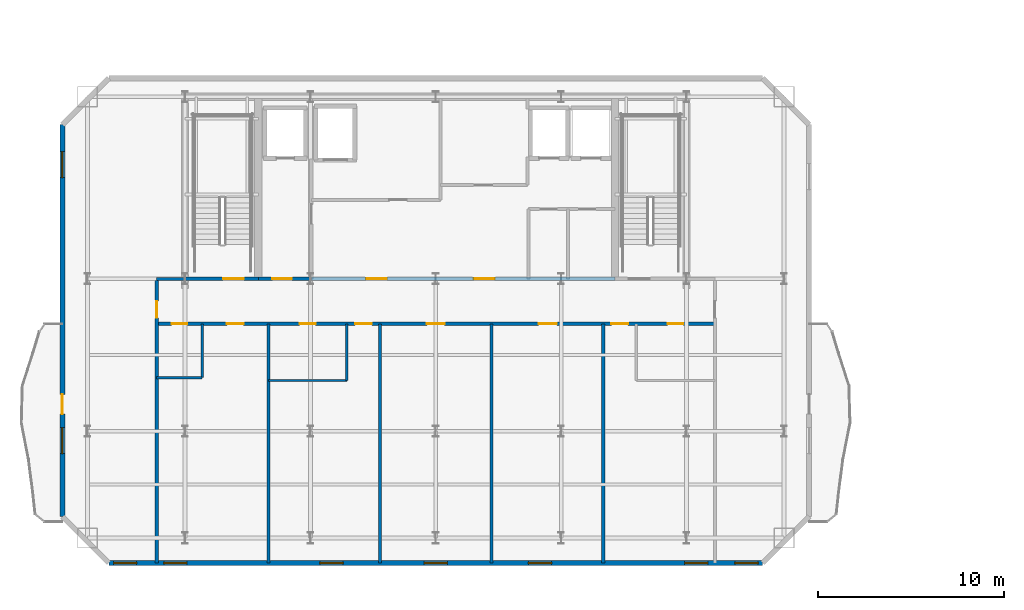
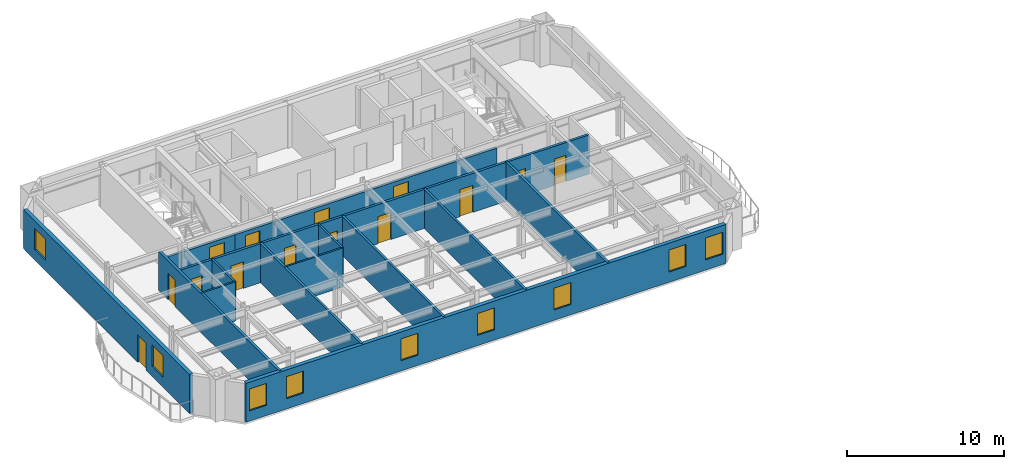
# One storey, part 5 of 13: 16 walls, 14 doors, 9 windows, 23 openings.
"""IFC4 building model written with IfcOpenShell, lengths in metres."""

from ifc_helpers import new_model, si_unit, direction, frame, frame_2d, origin, place, context, subcontext, project, spatial, rectangle, extrude, material, layer, layer_set, type_object, element, fill, save


model = new_model("IFC4")

# Units and contexts
model_context = context("Model", 3, precision=1e-05, world=origin(), true_north=direction((0.0, 1.0)))
body_context = subcontext(model_context, "Body", "Model", "MODEL_VIEW")
ifc_project = project(units=[si_unit("LENGTHUNIT", "METRE"), si_unit("AREAUNIT", "SQUARE_METRE"), si_unit("VOLUMEUNIT", "CUBIC_METRE"), si_unit("PLANEANGLEUNIT", "RADIAN"), si_unit("MASSUNIT", "GRAM", prefix="KILO")], contexts=[model_context])

# Site, building, storey
site_placement = place(None, origin())
site = spatial("IfcSite", under=ifc_project, at=site_placement, CompositionType="ELEMENT")
building_placement = place(site_placement, origin())
building = spatial("IfcBuilding", under=site, at=building_placement, Name="Haevon Station Towers", CompositionType="ELEMENT")
storey_placement = place(building_placement, frame((0.0, 0.0, 222.0)))
storey = spatial("IfcBuildingStorey", under=building, at=storey_placement, Name="L61", CompositionType="ELEMENT", Elevation=222.0)

# Wall, opening, door
ifc_material_1 = material(Name="Gypsum board on steel stud", Category="steel")
ifc_layer_1 = layer(ifc_material_1, 0.179931640625)
ifc_layer_set_1 = layer_set([ifc_layer_1], Name="Gypsum board on steel stud")
wall_type_1 = type_object("IfcWallType", Name="WL-ACU180", PredefinedType="PARTITIONING", material=ifc_layer_set_1)
wall_1_placement = place(storey_placement, frame((22.47509765625, 22.89990234375, 0.0), z_axis=(0.0, 0.0, 1.0), x_axis=(0.0, 1.0, 0.0)))
wall_1 = element("IfcWall", 1, at=wall_1_placement, inside=storey, type_object=wall_type_1, Name="WL-T1PT-L61-03", PredefinedType="PARTITIONING", context=body_context, shape_type="SweptSolid", body=[
    extrude(rectangle(XDim=15.300048828125, YDim=0.179931640625, at=frame_2d((7.64990234375, 0.0))), origin(), (0.0, 0.0, 1.0), 3.030029296875),
])
opening_1_placement = place(wall_1_placement, frame((13.199951171875, 0.0, 0.0)))
opening_1 = element("IfcOpeningElement", 2, at=opening_1_placement, cuts=wall_1, Name="Opening DR-WL-T1PT-L61-03-01", PredefinedType="OPENING", context=body_context, shape_type="SweptSolid", body=[
    extrude(rectangle(XDim=0.89990234375, YDim=2.050048828125, at=frame_2d((0.449951171875, 1.02490234375))), frame((0.0, 0.099853515625, 0.0), z_axis=(0.0, -1.0, 0.0), x_axis=(1.0, 0.0, 0.0)), (0.0, 0.0, 1.0), 0.199951171875),
])
ifc_material_2 = material(Name="Engineered oak timber", Category="wood")
door_type_1 = type_object("IfcDoorType", Name="DR-INT-900", OperationType="NOTDEFINED", PredefinedType="DOOR", material=ifc_material_2)
door_1_placement = place(opening_1_placement, origin())
door_1 = element("IfcDoor", 3, at=door_1_placement, inside=storey, type_object=door_type_1, Name="L61 Tower 1 Room Door 3-1", OperationType="SINGLE_SWING_LEFT", OverallHeight=2.050048828125, OverallWidth=0.89990234375, PredefinedType="DOOR", context=body_context, shape_type="SweptSolid", body=[
    extrude(rectangle(XDim=0.89990234375, YDim=2.050048828125, at=frame_2d((0.449951171875, 1.02490234375))), frame((0.0, 0.02490234375, 0.0), z_axis=(0.0, -1.0, 0.0), x_axis=(1.0, 0.0, 0.0)), (0.0, 0.0, 1.0), 0.050048828125),
])
fill(opening_1, door_1)

# Wall
wall_2_placement = place(storey_placement, frame((46.514892578125, 22.89990234375, 0.0), z_axis=(0.0, 0.0, 1.0), x_axis=(0.0, 1.0, 0.0)))
element("IfcWall", 4, at=wall_2_placement, inside=storey, type_object=wall_type_1, Name="WL-T1PT-L61-12", PredefinedType="PARTITIONING", context=body_context, shape_type="SweptSolid", body=[
    extrude(rectangle(XDim=12.880126953125, YDim=0.179931640625, at=frame_2d((6.43994140625, 0.0))), origin(), (0.0, 0.0, 1.0), 3.030029296875),
])

# Wall, openings, doors
wall_3_placement = place(storey_placement, frame((22.47509765625, 35.780029296875, 0.0), z_axis=(0.0, 0.0, 1.0), x_axis=(1.0, 0.0, 0.0)))
wall_3 = element("IfcWall", 5, at=wall_3_placement, inside=storey, type_object=wall_type_1, Name="WL-T1PT-L61-15", PredefinedType="PARTITIONING", context=body_context, shape_type="SweptSolid", body=[
    extrude(rectangle(XDim=30.0498046875, YDim=0.179931640625, at=frame_2d((15.02490234375, 0.0))), origin(), (0.0, 0.0, 1.0), 3.030029296875),
])
opening_2_placement = place(wall_3_placement, frame((0.800048828125, 0.0, 0.0)))
opening_2 = element("IfcOpeningElement", 6, at=opening_2_placement, cuts=wall_3, Name="Opening DR-WL-T1PT-L61-15-01", PredefinedType="OPENING", context=body_context, shape_type="SweptSolid", body=[
    extrude(rectangle(XDim=0.85009765625, YDim=2.050048828125, at=frame_2d((0.425048828125, 1.02490234375))), frame((0.0, 0.099853515625, 0.0), z_axis=(0.0, -1.0, 0.0), x_axis=(1.0, 0.0, 0.0)), (0.0, 0.0, 1.0), 0.199951171875),
])
opening_3_placement = place(wall_3_placement, frame((3.780029296875, 0.0, 0.0)))
opening_3 = element("IfcOpeningElement", 7, at=opening_3_placement, cuts=wall_3, Name="Opening DR-WL-T1PT-L61-15-02", PredefinedType="OPENING", context=body_context, shape_type="SweptSolid", body=[
    extrude(rectangle(XDim=0.89990234375, YDim=2.050048828125, at=frame_2d((0.449951171875, 1.02490234375))), frame((0.0, 0.099853515625, 0.0), z_axis=(0.0, -1.0, 0.0), x_axis=(1.0, 0.0, 0.0)), (0.0, 0.0, 1.0), 0.199951171875),
])
opening_4_placement = place(wall_3_placement, frame((7.699951171875, 0.0, 0.0)))
opening_4 = element("IfcOpeningElement", 8, at=opening_4_placement, cuts=wall_3, Name="Opening DR-WL-T1PT-L61-15-03", PredefinedType="OPENING", context=body_context, shape_type="SweptSolid", body=[
    extrude(rectangle(XDim=0.85009765625, YDim=2.050048828125, at=frame_2d((0.425048828125, 1.02490234375))), frame((0.0, 0.099853515625, 0.0), z_axis=(0.0, -1.0, 0.0), x_axis=(1.0, 0.0, 0.0)), (0.0, 0.0, 1.0), 0.199951171875),
])
opening_5_placement = place(wall_3_placement, frame((10.679931640625, 0.0, 0.0)))
opening_5 = element("IfcOpeningElement", 9, at=opening_5_placement, cuts=wall_3, Name="Opening DR-WL-T1PT-L61-15-04", PredefinedType="OPENING", context=body_context, shape_type="SweptSolid", body=[
    extrude(rectangle(XDim=0.89990234375, YDim=2.050048828125, at=frame_2d((0.449951171875, 1.02490234375))), frame((0.0, 0.099853515625, 0.0), z_axis=(0.0, -1.0, 0.0), x_axis=(1.0, 0.0, 0.0)), (0.0, 0.0, 1.0), 0.199951171875),
])
opening_6_placement = place(wall_3_placement, frame((14.550048828125, 0.0, 0.0)))
opening_6 = element("IfcOpeningElement", 10, at=opening_6_placement, cuts=wall_3, Name="Opening DR-WL-T1PT-L61-15-05", PredefinedType="OPENING", context=body_context, shape_type="SweptSolid", body=[
    extrude(rectangle(XDim=0.949951171875, YDim=2.10009765625, at=frame_2d((0.47509765625, 1.050048828125))), frame((0.0, 0.099853515625, 0.0), z_axis=(0.0, -1.0, 0.0), x_axis=(1.0, 0.0, 0.0)), (0.0, 0.0, 1.0), 0.199951171875),
])
opening_7_placement = place(wall_3_placement, frame((20.56005859375, 0.0, 0.0)))
opening_7 = element("IfcOpeningElement", 11, at=opening_7_placement, cuts=wall_3, Name="Opening DR-WL-T1PT-L61-15-06", PredefinedType="OPENING", context=body_context, shape_type="SweptSolid", body=[
    extrude(rectangle(XDim=0.97998046875, YDim=2.10009765625, at=frame_2d((0.489990234375, 1.050048828125))), frame((0.0, 0.099853515625, 0.0), z_axis=(0.0, -1.0, 0.0), x_axis=(1.0, 0.0, 0.0)), (0.0, 0.0, 1.0), 0.199951171875),
])
opening_8_placement = place(wall_3_placement, frame((27.510009765625, 0.0, 0.0)))
opening_8 = element("IfcOpeningElement", 12, at=opening_8_placement, cuts=wall_3, Name="Opening DR-WL-T1PT-L61-15-07", PredefinedType="OPENING", context=body_context, shape_type="SweptSolid", body=[
    extrude(rectangle(XDim=0.85009765625, YDim=2.050048828125, at=frame_2d((0.425048828125, 1.02490234375))), frame((0.0, 0.099853515625, 0.0), z_axis=(0.0, -1.0, 0.0), x_axis=(1.0, 0.0, 0.0)), (0.0, 0.0, 1.0), 0.199951171875),
])
opening_9_placement = place(wall_3_placement, frame((24.47998046875, 0.0, 0.0)))
opening_9 = element("IfcOpeningElement", 13, at=opening_9_placement, cuts=wall_3, Name="Opening DR-WL-T1PT-L61-15-08", PredefinedType="OPENING", context=body_context, shape_type="SweptSolid", body=[
    extrude(rectangle(XDim=0.89990234375, YDim=2.050048828125, at=frame_2d((0.449951171875, 1.02490234375))), frame((0.0, 0.099853515625, 0.0), z_axis=(0.0, -1.0, 0.0), x_axis=(1.0, 0.0, 0.0)), (0.0, 0.0, 1.0), 0.199951171875),
])
door_type_2 = type_object("IfcDoorType", Name="DR-FD30-850", OperationType="NOTDEFINED", PredefinedType="DOOR", material=ifc_material_2)
door_2_placement = place(opening_2_placement, origin())
door_2 = element("IfcDoor", 14, at=door_2_placement, inside=storey, type_object=door_type_2, Name="L61 Tower 1 Room Door 15-1", OperationType="SINGLE_SWING_LEFT", OverallHeight=2.050048828125, OverallWidth=0.85009765625, PredefinedType="DOOR", context=body_context, shape_type="SweptSolid", body=[
    extrude(rectangle(XDim=0.85009765625, YDim=2.050048828125, at=frame_2d((0.425048828125, 1.02490234375))), frame((0.0, 0.02490234375, 0.0), z_axis=(0.0, -1.0, 0.0), x_axis=(1.0, 0.0, 0.0)), (0.0, 0.0, 1.0), 0.050048828125),
])
fill(opening_2, door_2)
door_3_placement = place(opening_4_placement, origin())
door_3 = element("IfcDoor", 15, at=door_3_placement, inside=storey, type_object=door_type_2, Name="L61 Tower 1 Room Door 15-3", OperationType="SINGLE_SWING_LEFT", OverallHeight=2.050048828125, OverallWidth=0.85009765625, PredefinedType="DOOR", context=body_context, shape_type="SweptSolid", body=[
    extrude(rectangle(XDim=0.85009765625, YDim=2.050048828125, at=frame_2d((0.425048828125, 1.02490234375))), frame((0.0, 0.02490234375, 0.0), z_axis=(0.0, -1.0, 0.0), x_axis=(1.0, 0.0, 0.0)), (0.0, 0.0, 1.0), 0.050048828125),
])
fill(opening_4, door_3)
door_4_placement = place(opening_8_placement, origin())
door_4 = element("IfcDoor", 16, at=door_4_placement, inside=storey, type_object=door_type_2, Name="L61 Tower 1 Room Door 15-7", OperationType="SINGLE_SWING_LEFT", OverallHeight=2.050048828125, OverallWidth=0.85009765625, PredefinedType="DOOR", context=body_context, shape_type="SweptSolid", body=[
    extrude(rectangle(XDim=0.85009765625, YDim=2.050048828125, at=frame_2d((0.425048828125, 1.02490234375))), frame((0.0, 0.02490234375, 0.0), z_axis=(0.0, -1.0, 0.0), x_axis=(1.0, 0.0, 0.0)), (0.0, 0.0, 1.0), 0.050048828125),
])
fill(opening_8, door_4)
door_type_3 = type_object("IfcDoorType", Name="DR-FD30-950", OperationType="NOTDEFINED", PredefinedType="DOOR", material=ifc_material_2)
door_5_placement = place(opening_6_placement, origin())
door_5 = element("IfcDoor", 17, at=door_5_placement, inside=storey, type_object=door_type_3, Name="L61 Tower 1 Room Door 15-5", OperationType="SINGLE_SWING_LEFT", OverallHeight=2.10009765625, OverallWidth=0.949951171875, PredefinedType="DOOR", context=body_context, shape_type="SweptSolid", body=[
    extrude(rectangle(XDim=0.949951171875, YDim=2.10009765625, at=frame_2d((0.47509765625, 1.050048828125))), frame((0.0, 0.02490234375, 0.0), z_axis=(0.0, -1.0, 0.0), x_axis=(1.0, 0.0, 0.0)), (0.0, 0.0, 1.0), 0.050048828125),
])
fill(opening_6, door_5)
door_type_4 = type_object("IfcDoorType", Name="DR-FD30-980", OperationType="NOTDEFINED", PredefinedType="DOOR", material=ifc_material_2)
door_6_placement = place(opening_7_placement, origin())
door_6 = element("IfcDoor", 18, at=door_6_placement, inside=storey, type_object=door_type_4, Name="L61 Tower 1 Room Door 15-6", OperationType="SINGLE_SWING_RIGHT", OverallHeight=2.10009765625, OverallWidth=0.97998046875, PredefinedType="DOOR", context=body_context, shape_type="SweptSolid", body=[
    extrude(rectangle(XDim=0.97998046875, YDim=2.10009765625, at=frame_2d((0.489990234375, 1.050048828125))), frame((0.0, 0.02490234375, 0.0), z_axis=(0.0, -1.0, 0.0), x_axis=(1.0, 0.0, 0.0)), (0.0, 0.0, 1.0), 0.050048828125),
])
fill(opening_7, door_6)
door_7_placement = place(opening_3_placement, origin())
door_7 = element("IfcDoor", 19, at=door_7_placement, inside=storey, type_object=door_type_1, Name="L61 Tower 1 Room Door 15-2", OperationType="SINGLE_SWING_RIGHT", OverallHeight=2.050048828125, OverallWidth=0.89990234375, PredefinedType="DOOR", context=body_context, shape_type="SweptSolid", body=[
    extrude(rectangle(XDim=0.89990234375, YDim=2.050048828125, at=frame_2d((0.449951171875, 1.02490234375))), frame((0.0, 0.02490234375, 0.0), z_axis=(0.0, -1.0, 0.0), x_axis=(1.0, 0.0, 0.0)), (0.0, 0.0, 1.0), 0.050048828125),
])
fill(opening_3, door_7)
door_8_placement = place(opening_5_placement, origin())
door_8 = element("IfcDoor", 20, at=door_8_placement, inside=storey, type_object=door_type_1, Name="L61 Tower 1 Room Door 15-4", OperationType="SINGLE_SWING_RIGHT", OverallHeight=2.050048828125, OverallWidth=0.89990234375, PredefinedType="DOOR", context=body_context, shape_type="SweptSolid", body=[
    extrude(rectangle(XDim=0.89990234375, YDim=2.050048828125, at=frame_2d((0.449951171875, 1.02490234375))), frame((0.0, 0.02490234375, 0.0), z_axis=(0.0, -1.0, 0.0), x_axis=(1.0, 0.0, 0.0)), (0.0, 0.0, 1.0), 0.050048828125),
])
fill(opening_5, door_8)
door_9_placement = place(opening_9_placement, origin())
door_9 = element("IfcDoor", 21, at=door_9_placement, inside=storey, type_object=door_type_1, Name="L61 Tower 1 Room Door 15-8", OperationType="SINGLE_SWING_RIGHT", OverallHeight=2.050048828125, OverallWidth=0.89990234375, PredefinedType="DOOR", context=body_context, shape_type="SweptSolid", body=[
    extrude(rectangle(XDim=0.89990234375, YDim=2.050048828125, at=frame_2d((0.449951171875, 1.02490234375))), frame((0.0, 0.02490234375, 0.0), z_axis=(0.0, -1.0, 0.0), x_axis=(1.0, 0.0, 0.0)), (0.0, 0.0, 1.0), 0.050048828125),
])
fill(opening_9, door_9)

# Wall, opening, door
ifc_layer_2 = layer(ifc_material_1, 0.199951171875)
ifc_layer_set_2 = layer_set([ifc_layer_2], Name="Gypsum board on steel stud")
wall_type_2 = type_object("IfcWallType", Name="WL-COR200", PredefinedType="PARTITIONING", material=ifc_layer_set_2)
wall_4_placement = place(storey_placement, frame((24.0, 38.199951171875, 0.0), z_axis=(0.0, 0.0, 1.0), x_axis=(1.0, 0.0, 0.0)))
wall_4 = element("IfcWall", 22, at=wall_4_placement, inside=storey, type_object=wall_type_2, Name="WL-ST-ST1-L61", PredefinedType="PARTITIONING", context=body_context, shape_type="SweptSolid", body=[
    extrude(rectangle(XDim=3.949951171875, YDim=0.199951171875, at=frame_2d((1.97509765625, 0.0))), origin(), (0.0, 0.0, 1.0), 2.429931640625),
])
opening_10_placement = place(wall_4_placement, frame((2.050048828125, 0.0, 0.0)))
opening_10 = element("IfcOpeningElement", 23, at=opening_10_placement, cuts=wall_4, Name="Opening DR-ST-ST1-L61", PredefinedType="OPENING", context=body_context, shape_type="SweptSolid", body=[
    extrude(rectangle(XDim=1.1201171875, YDim=2.10009765625, at=frame_2d((0.56005859375, 1.050048828125))), frame((0.0, 0.10986328125, 0.0), z_axis=(0.0, -1.0, 0.0), x_axis=(1.0, 0.0, 0.0)), (0.0, 0.0, 1.0), 0.219970703125),
])
door_type_5 = type_object("IfcDoorType", Name="DR-ST-1120", OperationType="NOTDEFINED", PredefinedType="DOOR", material=ifc_material_2)
door_10_placement = place(opening_10_placement, origin())
door_10 = element("IfcDoor", 24, at=door_10_placement, inside=storey, type_object=door_type_5, Name="L61 Escape Stair ST1 Fire Door", OperationType="SINGLE_SWING_RIGHT", OverallHeight=2.10009765625, OverallWidth=1.1201171875, PredefinedType="DOOR", context=body_context, shape_type="SweptSolid", body=[
    extrude(rectangle(XDim=1.1201171875, YDim=2.10009765625, at=frame_2d((0.56005859375, 1.050048828125))), frame((0.0, 0.02490234375, 0.0), z_axis=(0.0, -1.0, 0.0), x_axis=(1.0, 0.0, 0.0)), (0.0, 0.0, 1.0), 0.050048828125),
])
fill(opening_10, door_10)

wall_5_placement = place(storey_placement, frame((27.949951171875, 38.199951171875, 0.0), z_axis=(0.0, 0.0, 1.0), x_axis=(1.0, 0.0, 0.0)))
wall_5 = element("IfcWall", 25, at=wall_5_placement, inside=storey, type_object=wall_type_2, Name="WL-T1FFL-L61-S", PredefinedType="PARTITIONING", context=body_context, shape_type="SweptSolid", body=[
    extrude(rectangle(XDim=2.85009765625, YDim=0.199951171875, at=frame_2d((1.425048828125, 0.0))), origin(), (0.0, 0.0, 1.0), 2.429931640625),
])
opening_11_placement = place(wall_5_placement, frame((0.75, 0.0, 0.0)))
opening_11 = element("IfcOpeningElement", 26, at=opening_11_placement, cuts=wall_5, Name="Opening DR-T1FFL-L61-S", PredefinedType="OPENING", context=body_context, shape_type="SweptSolid", body=[
    extrude(rectangle(XDim=1.050048828125, YDim=2.10009765625, at=frame_2d((0.52490234375, 1.050048828125))), frame((0.0, 0.10986328125, 0.0), z_axis=(0.0, -1.0, 0.0), x_axis=(1.0, 0.0, 0.0)), (0.0, 0.0, 1.0), 0.219970703125),
])
door_type_6 = type_object("IfcDoorType", Name="DR-FD60-1050", OperationType="NOTDEFINED", PredefinedType="DOOR", material=ifc_material_2)
door_11_placement = place(opening_11_placement, origin())
door_11 = element("IfcDoor", 27, at=door_11_placement, inside=storey, type_object=door_type_6, Name="L61 Tower 1 Firefighting Lift Lobby Door S", OperationType="SINGLE_SWING_LEFT", OverallHeight=2.10009765625, OverallWidth=1.050048828125, PredefinedType="DOOR", context=body_context, shape_type="SweptSolid", body=[
    extrude(rectangle(XDim=1.050048828125, YDim=2.10009765625, at=frame_2d((0.52490234375, 1.050048828125))), frame((0.0, 0.02490234375, 0.0), z_axis=(0.0, -1.0, 0.0), x_axis=(1.0, 0.0, 0.0)), (0.0, 0.0, 1.0), 0.050048828125),
])
fill(opening_11, door_11)

# Wall, openings, doors
wall_6_placement = place(storey_placement, frame((30.800048828125, 38.199951171875, 0.0), z_axis=(0.0, 0.0, 1.0), x_axis=(1.0, 0.0, 0.0)))
wall_6 = element("IfcWall", 28, at=wall_6_placement, inside=storey, type_object=wall_type_2, Name="WL-T1CLB-L61", PredefinedType="PARTITIONING", context=body_context, shape_type="SweptSolid", body=[
    extrude(rectangle(XDim=16.349853515625, YDim=0.199951171875, at=frame_2d((8.1748046875, 0.0))), origin(), (0.0, 0.0, 1.0), 2.429931640625),
])
opening_12_placement = place(wall_6_placement, frame((2.949951171875, 0.0, 0.0)))
opening_12 = element("IfcOpeningElement", 29, at=opening_12_placement, cuts=wall_6, Name="Opening DR-T1CLB-L61-1", PredefinedType="OPENING", context=body_context, shape_type="SweptSolid", body=[
    extrude(rectangle(XDim=1.1201171875, YDim=2.10009765625, at=frame_2d((0.56005859375, 1.050048828125))), frame((0.0, 0.10986328125, 0.0), z_axis=(0.0, -1.0, 0.0), x_axis=(1.0, 0.0, 0.0)), (0.0, 0.0, 1.0), 0.219970703125),
])
opening_13_placement = place(wall_6_placement, frame((8.75, 0.0, 0.0)))
opening_13 = element("IfcOpeningElement", 30, at=opening_13_placement, cuts=wall_6, Name="Opening DR-T1CLB-L61-2", PredefinedType="OPENING", context=body_context, shape_type="SweptSolid", body=[
    extrude(rectangle(XDim=1.1201171875, YDim=2.10009765625, at=frame_2d((0.56005859375, 1.050048828125))), frame((0.0, 0.10986328125, 0.0), z_axis=(0.0, -1.0, 0.0), x_axis=(1.0, 0.0, 0.0)), (0.0, 0.0, 1.0), 0.219970703125),
])
door_12_placement = place(opening_12_placement, origin())
door_12 = element("IfcDoor", 31, at=door_12_placement, inside=storey, type_object=door_type_5, Name="L61 Tower 1 Core Lift Lobby Door 1", OperationType="SINGLE_SWING_RIGHT", OverallHeight=2.10009765625, OverallWidth=1.1201171875, PredefinedType="DOOR", context=body_context, shape_type="SweptSolid", body=[
    extrude(rectangle(XDim=1.1201171875, YDim=2.10009765625, at=frame_2d((0.56005859375, 1.050048828125))), frame((0.0, 0.02490234375, 0.0), z_axis=(0.0, -1.0, 0.0), x_axis=(1.0, 0.0, 0.0)), (0.0, 0.0, 1.0), 0.050048828125),
])
fill(opening_12, door_12)
door_13_placement = place(opening_13_placement, origin())
door_13 = element("IfcDoor", 32, at=door_13_placement, inside=storey, type_object=door_type_5, Name="L61 Tower 1 Core Lift Lobby Door 2", OperationType="SINGLE_SWING_LEFT", OverallHeight=2.10009765625, OverallWidth=1.1201171875, PredefinedType="DOOR", context=body_context, shape_type="SweptSolid", body=[
    extrude(rectangle(XDim=1.1201171875, YDim=2.10009765625, at=frame_2d((0.56005859375, 1.050048828125))), frame((0.0, 0.02490234375, 0.0), z_axis=(0.0, -1.0, 0.0), x_axis=(1.0, 0.0, 0.0)), (0.0, 0.0, 1.0), 0.050048828125),
])
fill(opening_13, door_13)

# Wall, openings, windows
ifc_material_3 = material(Name="Precast concrete C45/55", Category="concrete")
ifc_layer_3 = layer(ifc_material_3, 0.280029296875)
ifc_layer_set_3 = layer_set([ifc_layer_3], Name="Precast concrete C45/55")
wall_type_3 = type_object("IfcWallType", Name="WL-EXT-PIER280", PredefinedType="SOLIDWALL", material=ifc_layer_set_3)
wall_7_placement = place(storey_placement, frame((55.10009765625, 22.89990234375, 0.0), z_axis=(0.0, 0.0, 1.0), x_axis=(-1.0, 0.0, 0.0)))
wall_7 = element("IfcWall", 33, at=wall_7_placement, inside=storey, type_object=wall_type_3, Name="WL-T1-L61-S", PredefinedType="SOLIDWALL", context=body_context, shape_type="SweptSolid", body=[
    extrude(rectangle(XDim=35.2001953125, YDim=0.280029296875, at=frame_2d((17.60009765625, 0.0))), origin(), (0.0, 0.0, 1.0), 3.030029296875),
])
opening_14_placement = place(wall_7_placement, frame((33.699951171875, 0.0, 0.800048828125)))
opening_14 = element("IfcOpeningElement", 34, at=opening_14_placement, cuts=wall_7, Name="Opening WN-P125", PredefinedType="OPENING", context=body_context, shape_type="SweptSolid", body=[
    extrude(rectangle(XDim=1.25, YDim=1.699951171875, at=frame_2d((0.625, 0.85009765625))), frame((0.0, 0.14990234375, 0.0), z_axis=(0.0, -1.0, 0.0), x_axis=(1.0, 0.0, 0.0)), (0.0, 0.0, 1.0), 0.300048828125),
])
opening_15_placement = place(wall_7_placement, frame((0.25, 0.0, 0.800048828125)))
opening_15 = element("IfcOpeningElement", 35, at=opening_15_placement, cuts=wall_7, Name="Opening WN-P125", PredefinedType="OPENING", context=body_context, shape_type="SweptSolid", body=[
    extrude(rectangle(XDim=1.25, YDim=1.699951171875, at=frame_2d((0.625, 0.85009765625))), frame((0.0, 0.14990234375, 0.0), z_axis=(0.0, -1.0, 0.0), x_axis=(1.0, 0.0, 0.0)), (0.0, 0.0, 1.0), 0.300048828125),
])
opening_16_placement = place(wall_7_placement, frame((30.9951171875, 0.0, 0.800048828125)))
opening_16 = element("IfcOpeningElement", 36, at=opening_16_placement, cuts=wall_7, Name="Opening WN-P125", PredefinedType="OPENING", context=body_context, shape_type="SweptSolid", body=[
    extrude(rectangle(XDim=1.25, YDim=1.699951171875, at=frame_2d((0.625, 0.85009765625))), frame((0.0, 0.14990234375, 0.0), z_axis=(0.0, -1.0, 0.0), x_axis=(1.0, 0.0, 0.0)), (0.0, 0.0, 1.0), 0.300048828125),
])
opening_17_placement = place(wall_7_placement, frame((22.5849609375, 0.0, 0.800048828125)))
opening_17 = element("IfcOpeningElement", 37, at=opening_17_placement, cuts=wall_7, Name="Opening WN-P125", PredefinedType="OPENING", context=body_context, shape_type="SweptSolid", body=[
    extrude(rectangle(XDim=1.25, YDim=1.699951171875, at=frame_2d((0.625, 0.85009765625))), frame((0.0, 0.14990234375, 0.0), z_axis=(0.0, -1.0, 0.0), x_axis=(1.0, 0.0, 0.0)), (0.0, 0.0, 1.0), 0.300048828125),
])
opening_18_placement = place(wall_7_placement, frame((16.97509765625, 0.0, 0.800048828125)))
opening_18 = element("IfcOpeningElement", 38, at=opening_18_placement, cuts=wall_7, Name="Opening WN-P125", PredefinedType="OPENING", context=body_context, shape_type="SweptSolid", body=[
    extrude(rectangle(XDim=1.25, YDim=1.699951171875, at=frame_2d((0.625, 0.85009765625))), frame((0.0, 0.14990234375, 0.0), z_axis=(0.0, -1.0, 0.0), x_axis=(1.0, 0.0, 0.0)), (0.0, 0.0, 1.0), 0.300048828125),
])
opening_19_placement = place(wall_7_placement, frame((11.364990234375, 0.0, 0.800048828125)))
opening_19 = element("IfcOpeningElement", 39, at=opening_19_placement, cuts=wall_7, Name="Opening WN-P125", PredefinedType="OPENING", context=body_context, shape_type="SweptSolid", body=[
    extrude(rectangle(XDim=1.25, YDim=1.699951171875, at=frame_2d((0.625, 0.85009765625))), frame((0.0, 0.14990234375, 0.0), z_axis=(0.0, -1.0, 0.0), x_axis=(1.0, 0.0, 0.0)), (0.0, 0.0, 1.0), 0.300048828125),
])
opening_20_placement = place(wall_7_placement, frame((2.955078125, 0.0, 0.800048828125)))
opening_20 = element("IfcOpeningElement", 40, at=opening_20_placement, cuts=wall_7, Name="Opening WN-P125", PredefinedType="OPENING", context=body_context, shape_type="SweptSolid", body=[
    extrude(rectangle(XDim=1.25, YDim=1.699951171875, at=frame_2d((0.625, 0.85009765625))), frame((0.0, 0.14990234375, 0.0), z_axis=(0.0, -1.0, 0.0), x_axis=(1.0, 0.0, 0.0)), (0.0, 0.0, 1.0), 0.300048828125),
])
ifc_material_4 = material(Name="Low-E triple glazing in thermally broken aluminium", Category="aluminium")
window_type_1 = type_object("IfcWindowType", Name="WN-P125", PartitioningType="SINGLE_PANEL", PredefinedType="WINDOW", material=ifc_material_4)
window_1_placement = place(opening_14_placement, origin())
window_1 = element("IfcWindow", 41, at=window_1_placement, inside=storey, type_object=window_type_1, Name="WN-T1-L61-S01", OverallHeight=1.699951171875, OverallWidth=1.25, PartitioningType="SINGLE_PANEL", PredefinedType="WINDOW", context=body_context, shape_type="SweptSolid", body=[
    extrude(rectangle(XDim=1.25, YDim=1.699951171875, at=frame_2d((0.625, 0.85009765625))), frame((0.0, 0.030029296875, 0.0), z_axis=(0.0, -1.0, 0.0), x_axis=(1.0, 0.0, 0.0)), (0.0, 0.0, 1.0), 0.06005859375),
])
fill(opening_14, window_1)
window_2_placement = place(opening_15_placement, origin())
window_2 = element("IfcWindow", 42, at=window_2_placement, inside=storey, type_object=window_type_1, Name="WN-T1-L61-S02", OverallHeight=1.699951171875, OverallWidth=1.25, PartitioningType="SINGLE_PANEL", PredefinedType="WINDOW", context=body_context, shape_type="SweptSolid", body=[
    extrude(rectangle(XDim=1.25, YDim=1.699951171875, at=frame_2d((0.625, 0.85009765625))), frame((0.0, 0.030029296875, 0.0), z_axis=(0.0, -1.0, 0.0), x_axis=(1.0, 0.0, 0.0)), (0.0, 0.0, 1.0), 0.06005859375),
])
fill(opening_15, window_2)
window_3_placement = place(opening_16_placement, origin())
window_3 = element("IfcWindow", 43, at=window_3_placement, inside=storey, type_object=window_type_1, Name="WN-T1-L61-S03", OverallHeight=1.699951171875, OverallWidth=1.25, PartitioningType="SINGLE_PANEL", PredefinedType="WINDOW", context=body_context, shape_type="SweptSolid", body=[
    extrude(rectangle(XDim=1.25, YDim=1.699951171875, at=frame_2d((0.625, 0.85009765625))), frame((0.0, 0.030029296875, 0.0), z_axis=(0.0, -1.0, 0.0), x_axis=(1.0, 0.0, 0.0)), (0.0, 0.0, 1.0), 0.06005859375),
])
fill(opening_16, window_3)
window_4_placement = place(opening_17_placement, origin())
window_4 = element("IfcWindow", 44, at=window_4_placement, inside=storey, type_object=window_type_1, Name="WN-T1-L61-S04", OverallHeight=1.699951171875, OverallWidth=1.25, PartitioningType="SINGLE_PANEL", PredefinedType="WINDOW", context=body_context, shape_type="SweptSolid", body=[
    extrude(rectangle(XDim=1.25, YDim=1.699951171875, at=frame_2d((0.625, 0.85009765625))), frame((0.0, 0.030029296875, 0.0), z_axis=(0.0, -1.0, 0.0), x_axis=(1.0, 0.0, 0.0)), (0.0, 0.0, 1.0), 0.06005859375),
])
fill(opening_17, window_4)
window_5_placement = place(opening_18_placement, origin())
window_5 = element("IfcWindow", 45, at=window_5_placement, inside=storey, type_object=window_type_1, Name="WN-T1-L61-S05", OverallHeight=1.699951171875, OverallWidth=1.25, PartitioningType="SINGLE_PANEL", PredefinedType="WINDOW", context=body_context, shape_type="SweptSolid", body=[
    extrude(rectangle(XDim=1.25, YDim=1.699951171875, at=frame_2d((0.625, 0.85009765625))), frame((0.0, 0.030029296875, 0.0), z_axis=(0.0, -1.0, 0.0), x_axis=(1.0, 0.0, 0.0)), (0.0, 0.0, 1.0), 0.06005859375),
])
fill(opening_18, window_5)
window_6_placement = place(opening_19_placement, origin())
window_6 = element("IfcWindow", 46, at=window_6_placement, inside=storey, type_object=window_type_1, Name="WN-T1-L61-S06", OverallHeight=1.699951171875, OverallWidth=1.25, PartitioningType="SINGLE_PANEL", PredefinedType="WINDOW", context=body_context, shape_type="SweptSolid", body=[
    extrude(rectangle(XDim=1.25, YDim=1.699951171875, at=frame_2d((0.625, 0.85009765625))), frame((0.0, 0.030029296875, 0.0), z_axis=(0.0, -1.0, 0.0), x_axis=(1.0, 0.0, 0.0)), (0.0, 0.0, 1.0), 0.06005859375),
])
fill(opening_19, window_6)
window_7_placement = place(opening_20_placement, origin())
window_7 = element("IfcWindow", 47, at=window_7_placement, inside=storey, type_object=window_type_1, Name="WN-T1-L61-S07", OverallHeight=1.699951171875, OverallWidth=1.25, PartitioningType="SINGLE_PANEL", PredefinedType="WINDOW", context=body_context, shape_type="SweptSolid", body=[
    extrude(rectangle(XDim=1.25, YDim=1.699951171875, at=frame_2d((0.625, 0.85009765625))), frame((0.0, 0.030029296875, 0.0), z_axis=(0.0, -1.0, 0.0), x_axis=(1.0, 0.0, 0.0)), (0.0, 0.0, 1.0), 0.06005859375),
])
fill(opening_20, window_7)

# Wall, openings, door, windows
wall_8_placement = place(storey_placement, frame((17.39990234375, 25.39990234375, 0.0), z_axis=(0.0, 0.0, 1.0), x_axis=(0.0, 1.0, 0.0)))
wall_8 = element("IfcWall", 48, at=wall_8_placement, inside=storey, type_object=wall_type_3, Name="WL-T1-L61-W", PredefinedType="SOLIDWALL", context=body_context, shape_type="SweptSolid", body=[
    extrude(rectangle(XDim=21.10009765625, YDim=0.280029296875, at=frame_2d((10.550048828125, 0.0))), origin(), (0.0, 0.0, 1.0), 3.030029296875),
])
opening_21_placement = place(wall_8_placement, frame((5.52490234375, 0.0, 0.0)))
opening_21 = element("IfcOpeningElement", 49, at=opening_21_placement, cuts=wall_8, Name="Opening DR-T1-SCAL-L61-W", PredefinedType="OPENING", context=body_context, shape_type="SweptSolid", body=[
    extrude(rectangle(XDim=1.050048828125, YDim=2.10009765625, at=frame_2d((0.52490234375, 1.050048828125))), frame((0.0, 0.14990234375, 0.0), z_axis=(0.0, -1.0, 0.0), x_axis=(1.0, 0.0, 0.0)), (0.0, 0.0, 1.0), 0.300048828125),
])
opening_22_placement = place(wall_8_placement, frame((3.3857421875, 0.0, 0.800048828125)))
opening_22 = element("IfcOpeningElement", 50, at=opening_22_placement, cuts=wall_8, Name="Opening WN-END140", PredefinedType="OPENING", context=body_context, shape_type="SweptSolid", body=[
    extrude(rectangle(XDim=1.39990234375, YDim=1.64990234375, at=frame_2d((0.699951171875, 0.824951171875))), frame((0.0, 0.14990234375, 0.0), z_axis=(0.0, -1.0, 0.0), x_axis=(1.0, 0.0, 0.0)), (0.0, 0.0, 1.0), 0.300048828125),
])
opening_23_placement = place(wall_8_placement, frame((18.253662109375, 0.0, 0.800048828125)))
opening_23 = element("IfcOpeningElement", 51, at=opening_23_placement, cuts=wall_8, Name="Opening WN-END140", PredefinedType="OPENING", context=body_context, shape_type="SweptSolid", body=[
    extrude(rectangle(XDim=1.39990234375, YDim=1.64990234375, at=frame_2d((0.699951171875, 0.824951171875))), frame((0.0, 0.14990234375, 0.0), z_axis=(0.0, -1.0, 0.0), x_axis=(1.0, 0.0, 0.0)), (0.0, 0.0, 1.0), 0.300048828125),
])
ifc_material_5 = material(Name="Thermally broken anodised aluminium and laminated safety glass", Category="aluminium")
door_type_7 = type_object("IfcDoorType", Name="DR-BALC-1050", OperationType="NOTDEFINED", PredefinedType="DOOR", material=ifc_material_5)
door_14_placement = place(opening_21_placement, origin())
door_14 = element("IfcDoor", 52, at=door_14_placement, inside=storey, type_object=door_type_7, Name="Tower 1 L61 West Scalloped Balcony Door", OperationType="SINGLE_SWING_LEFT", OverallHeight=2.10009765625, OverallWidth=1.050048828125, PredefinedType="DOOR", context=body_context, shape_type="SweptSolid", body=[
    extrude(rectangle(XDim=1.050048828125, YDim=2.10009765625, at=frame_2d((0.52490234375, 1.050048828125))), frame((0.0, 0.02490234375, 0.0), z_axis=(0.0, -1.0, 0.0), x_axis=(1.0, 0.0, 0.0)), (0.0, 0.0, 1.0), 0.050048828125),
])
fill(opening_21, door_14)
window_type_2 = type_object("IfcWindowType", Name="WN-END140", PartitioningType="SINGLE_PANEL", PredefinedType="WINDOW", material=ifc_material_4)
window_8_placement = place(opening_22_placement, origin())
window_8 = element("IfcWindow", 53, at=window_8_placement, inside=storey, type_object=window_type_2, Name="WN-T1-L61-W01", OverallHeight=1.64990234375, OverallWidth=1.39990234375, PartitioningType="SINGLE_PANEL", PredefinedType="WINDOW", context=body_context, shape_type="SweptSolid", body=[
    extrude(rectangle(XDim=1.39990234375, YDim=1.64990234375, at=frame_2d((0.699951171875, 0.824951171875))), frame((0.0, 0.030029296875, 0.0), z_axis=(0.0, -1.0, 0.0), x_axis=(1.0, 0.0, 0.0)), (0.0, 0.0, 1.0), 0.06005859375),
])
fill(opening_22, window_8)
window_9_placement = place(opening_23_placement, origin())
window_9 = element("IfcWindow", 54, at=window_9_placement, inside=storey, type_object=window_type_2, Name="WN-T1-L61-W02", OverallHeight=1.64990234375, OverallWidth=1.39990234375, PartitioningType="SINGLE_PANEL", PredefinedType="WINDOW", context=body_context, shape_type="SweptSolid", body=[
    extrude(rectangle(XDim=1.39990234375, YDim=1.64990234375, at=frame_2d((0.699951171875, 0.824951171875))), frame((0.0, 0.030029296875, 0.0), z_axis=(0.0, -1.0, 0.0), x_axis=(1.0, 0.0, 0.0)), (0.0, 0.0, 1.0), 0.06005859375),
])
fill(opening_23, window_9)

# Walls
ifc_layer_4 = layer(ifc_material_1, 0.125)
ifc_layer_set_4 = layer_set([ifc_layer_4], Name="Gypsum board on steel stud")
wall_type_4 = type_object("IfcWallType", Name="WL-PRT125", PredefinedType="PARTITIONING", material=ifc_layer_set_4)
wall_9_placement = place(storey_placement, frame((22.47509765625, 32.8798828125, 0.0), z_axis=(0.0, 0.0, 1.0), x_axis=(1.0, 0.0, 0.0)))
element("IfcWall", 55, at=wall_9_placement, inside=storey, type_object=wall_type_4, Name="WL-T1PT-L61-05", PredefinedType="PARTITIONING", context=body_context, shape_type="SweptSolid", body=[
    extrude(rectangle(XDim=2.449951171875, YDim=0.125, at=frame_2d((1.22509765625, 0.0))), origin(), (0.0, 0.0, 1.0), 3.030029296875),
])
wall_10_placement = place(storey_placement, frame((24.925048828125, 32.8798828125, 0.0), z_axis=(0.0, 0.0, 1.0), x_axis=(0.0, 1.0, 0.0)))
element("IfcWall", 56, at=wall_10_placement, inside=storey, type_object=wall_type_4, Name="WL-T1PT-L61-06", PredefinedType="PARTITIONING", context=body_context, shape_type="SweptSolid", body=[
    extrude(rectangle(XDim=2.900146484375, YDim=0.125, at=frame_2d((1.4501953125, 0.0))), origin(), (0.0, 0.0, 1.0), 3.030029296875),
])
wall_11_placement = place(storey_placement, frame((28.485107421875, 32.72998046875, 0.0), z_axis=(0.0, 0.0, 1.0), x_axis=(1.0, 0.0, 0.0)))
element("IfcWall", 57, at=wall_11_placement, inside=storey, type_object=wall_type_4, Name="WL-T1PT-L61-08", PredefinedType="PARTITIONING", context=body_context, shape_type="SweptSolid", body=[
    extrude(rectangle(XDim=4.22998046875, YDim=0.125, at=frame_2d((2.114990234375, 0.0))), origin(), (0.0, 0.0, 1.0), 3.030029296875),
])
wall_12_placement = place(storey_placement, frame((32.715087890625, 32.72998046875, 0.0), z_axis=(0.0, 0.0, 1.0), x_axis=(0.0, 1.0, 0.0)))
element("IfcWall", 58, at=wall_12_placement, inside=storey, type_object=wall_type_4, Name="WL-T1PT-L61-09", PredefinedType="PARTITIONING", context=body_context, shape_type="SweptSolid", body=[
    extrude(rectangle(XDim=3.050048828125, YDim=0.125, at=frame_2d((1.52490234375, 0.0))), origin(), (0.0, 0.0, 1.0), 3.030029296875),
])
ifc_layer_5 = layer(ifc_material_1, 0.159912109375)
ifc_layer_set_5 = layer_set([ifc_layer_5], Name="Gypsum board on steel stud")
wall_type_5 = type_object("IfcWallType", Name="WL-PRT160", PredefinedType="PARTITIONING", material=ifc_layer_set_5)
wall_13_placement = place(storey_placement, frame((22.47509765625, 38.199951171875, 0.0), z_axis=(0.0, 0.0, 1.0), x_axis=(1.0, 0.0, 0.0)))
element("IfcWall", 59, at=wall_13_placement, inside=storey, type_object=wall_type_5, Name="WL-T1PT-L61-01", PredefinedType="PARTITIONING", context=body_context, shape_type="SweptSolid", body=[
    extrude(rectangle(XDim=1.52490234375, YDim=0.159912109375, at=frame_2d((0.762451171875, 0.0))), origin(), (0.0, 0.0, 1.0), 2.429931640625),
])
for number, where, z_axis, x_axis, name in (
    (60, (28.485107421875, 22.89990234375, 0.0), (0.0, 0.0, 1.0), (0.0, 1.0, 0.0), "WL-T1PT-L61-07"),
    (61, (34.4951171875, 22.89990234375, 0.0), (0.0, 0.0, 1.0), (0.0, 1.0, 0.0), "WL-T1PT-L61-10"),
    (62, (40.5048828125, 22.89990234375, 0.0), (0.0, 0.0, 1.0), (0.0, 1.0, 0.0), "WL-T1PT-L61-11"),
):
    element("IfcWall", number, at=place(storey_placement, frame(where, z_axis=z_axis, x_axis=x_axis)), inside=storey, type_object=wall_type_5, Name=name, PredefinedType="PARTITIONING", context=body_context, shape_type="SweptSolid", body=[
        extrude(rectangle(XDim=12.880126953125, YDim=0.159912109375, at=frame_2d((6.43994140625, 0.0))), origin(), (0.0, 0.0, 1.0), 3.030029296875),
    ])

save(model, "model.ifc")
